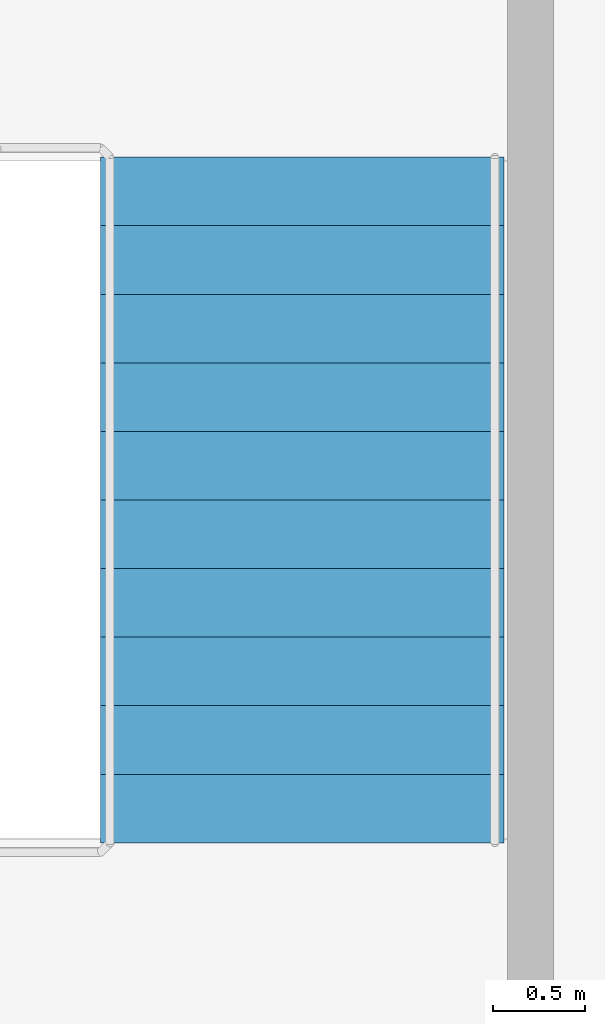
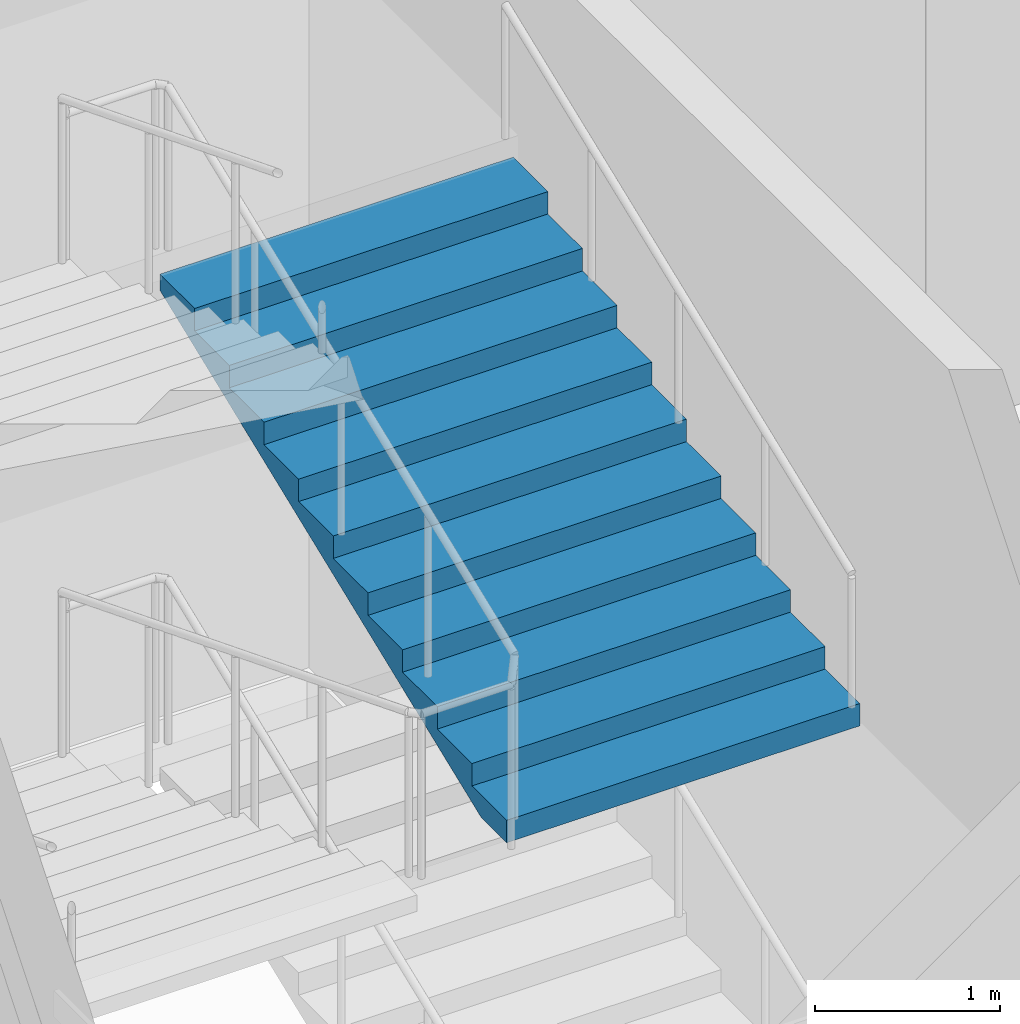
# One storey, part 19 of 32: 1 stair flight, 1 element without a shape of its own.
"""IFC4 building model written with IfcOpenShell, lengths in metres."""

from ifc_helpers import new_model, si_unit, direction, frame, origin, place, context, subcontext, project, spatial, polyline, outline, extrude, material, type_object, element, aggregate, save


model = new_model("IFC4")

# Units and contexts
model_context = context("Model", 3, precision=1e-05, world=origin(), true_north=direction((0.0, 1.0)))
body_context = subcontext(model_context, "Body", "Model", "MODEL_VIEW")
ifc_project = project(units=[si_unit("LENGTHUNIT", "METRE"), si_unit("AREAUNIT", "SQUARE_METRE"), si_unit("VOLUMEUNIT", "CUBIC_METRE"), si_unit("PLANEANGLEUNIT", "RADIAN"), si_unit("MASSUNIT", "GRAM", prefix="KILO")], contexts=[model_context])

# Site, building, storey
site_placement = place(None, origin())
site = spatial("IfcSite", under=ifc_project, at=site_placement, CompositionType="ELEMENT")
building_placement = place(site_placement, origin())
building = spatial("IfcBuilding", under=site, at=building_placement, Name="Tamra Quay Hotel Tower", CompositionType="ELEMENT")
storey_placement = place(building_placement, frame((0.0, 0.0, 7.5)))
storey = spatial("IfcBuildingStorey", under=building, at=storey_placement, Name="L01", CompositionType="ELEMENT", Elevation=7.5)

# Stair, stair flight
ifc_material_1 = material(Name="Exit stair 2200 44 risers 147.7 going 374")
stair_type = type_object("IfcStairType", Name="Exit stair 2200 44 risers 147.7 going 374", PredefinedType="HALF_TURN_STAIR", material=ifc_material_1)
stair_placement = place(storey_placement, origin())
stair = element("IfcStair", 1, at=stair_placement, inside=storey, type_object=stair_type, Name="L01 Exit stair PS1", PredefinedType="HALF_TURN_STAIR")
ifc_material_2 = material(Name="Exit stair flight 2200 11 risers 147.7")
stair_flight_type = type_object("IfcStairFlightType", Name="Exit stair flight 2200 11 risers 147.7", PredefinedType="STRAIGHT", material=ifc_material_2)
stair_flight_placement = place(storey_placement, frame((-84.969970703125, 25.77001953125, 3.25), z_axis=(0.0, 0.0, 1.0), x_axis=(0.0, 1.0, 0.0)))
stair_flight = element("IfcStairFlight", 2, at=stair_flight_placement, type_object=stair_flight_type, Name="PS1 flight 3", NumberOfRisers=11, NumberOfTreads=10, PredefinedType="STRAIGHT", RiserHeight=0.147727273, TreadLength=0.374, context=body_context, shape_type="SweptSolid", body=[
    extrude(outline(polyline([(0.0, 0.0), (0.0, 0.147705078125), (0.3740234375, 0.147705078125), (0.3740234375, 0.29541015625), (0.748046875, 0.29541015625), (0.748046875, 0.443115234375), (1.1220703125, 0.443115234375), (1.1220703125, 0.5908203125), (1.49609375, 0.5908203125), (1.49609375, 0.738525390625), (1.8701171875, 0.738525390625), (1.8701171875, 0.886474609375), (2.243896484375, 0.886474609375), (2.243896484375, 1.0341796875), (2.617919921875, 1.0341796875), (2.617919921875, 1.181884765625), (2.991943359375, 1.181884765625), (2.991943359375, 1.32958984375), (3.365966796875, 1.32958984375), (3.365966796875, 1.477294921875), (3.739990234375, 1.477294921875), (3.739990234375, 1.625), (3.739990234375, 1.36962890625), (0.2724609375, 0.0), (0.0, 0.0)])), frame((0.0, 1.10009765625, 0.0), z_axis=(0.0, -1.0, 0.0), x_axis=(1.0, 0.0, 0.0)), (0.0, 0.0, 1.0), 2.199951171875),
])
aggregate(stair, [stair_flight])

save(model, "model.ifc")
